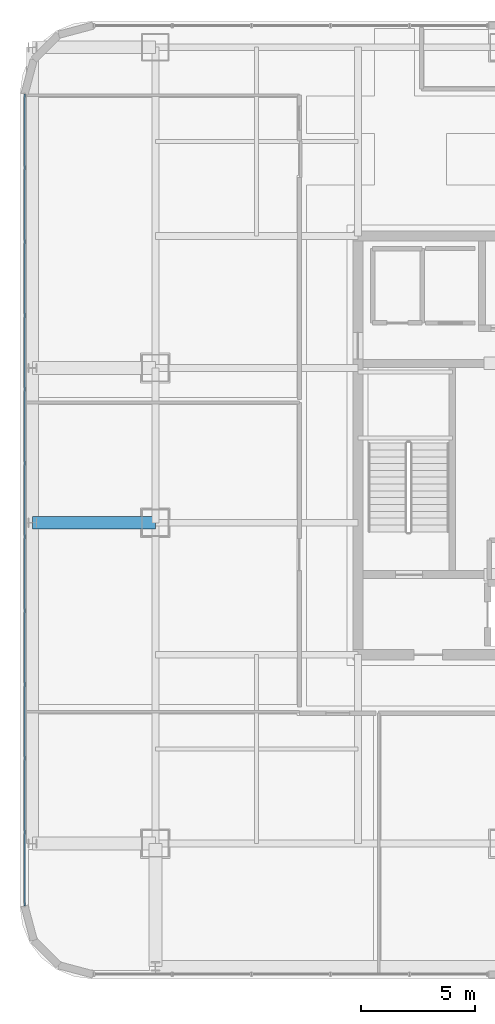
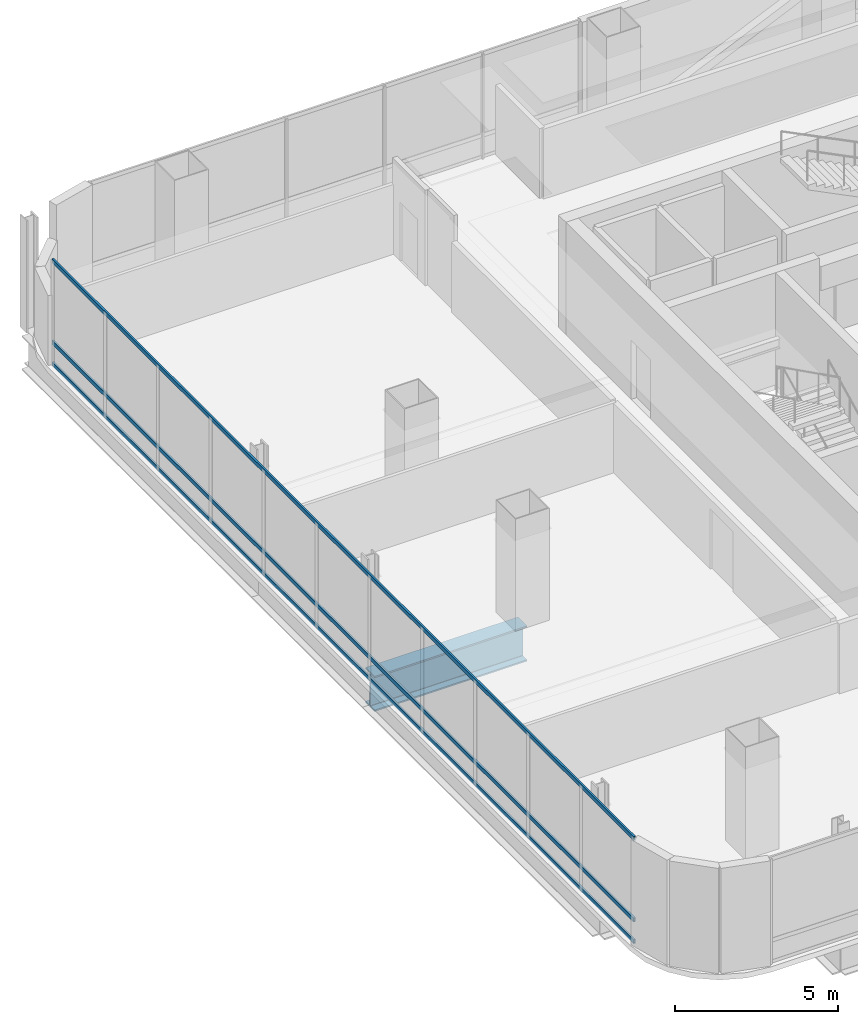
# One storey, part 11 of 46: 3 members, 1 beam, 1 element without a shape of its own.
"""IFC4 building model written with IfcOpenShell, lengths in metres."""

from ifc_helpers import new_model, si_unit, direction, frame, origin, origin_2d, place, context, subcontext, project, spatial, hollow_rectangle, i_section, extrude, material, material_profile, profile_set, type_object, element, aggregate, save


model = new_model("IFC4")

# Units and contexts
model_context = context("Model", 3, precision=1e-05, world=origin(), true_north=direction((0.0, 1.0)))
body_context = subcontext(model_context, "Body", "Model", "MODEL_VIEW")
ifc_project = project(units=[si_unit("LENGTHUNIT", "METRE"), si_unit("AREAUNIT", "SQUARE_METRE"), si_unit("VOLUMEUNIT", "CUBIC_METRE"), si_unit("PLANEANGLEUNIT", "RADIAN"), si_unit("MASSUNIT", "GRAM", prefix="KILO")], contexts=[model_context])

# Site, building, storey
site_placement = place(None, origin())
site = spatial("IfcSite", under=ifc_project, at=site_placement, CompositionType="ELEMENT")
building_placement = place(site_placement, origin())
building = spatial("IfcBuilding", under=site, at=building_placement, Name="Punatoya Terracotta Tower", CompositionType="ELEMENT")
storey_placement = place(building_placement, frame((0.0, 0.0, 330.0)))
storey = spatial("IfcBuildingStorey", under=building, at=storey_placement, Name="L78", CompositionType="ELEMENT", Elevation=330.0)

# Beam
ifc_material_1 = material(Name="Steel S460", Category="steel")
ifc_material_profile_1 = material_profile(ifc_material_1, i_section(OverallWidth=0.56005859375, OverallDepth=1.320068359375, WebThickness=0.035888671875, FlangeThickness=0.054931640625, FilletRadius=0.01806640625, at=origin_2d()))
ifc_profile_set_1 = profile_set([ifc_material_profile_1], Name="Steel S460")
beam_type = type_object("IfcBeamType", Name="BM-TG-BLK", PredefinedType="BEAM", material=ifc_profile_set_1)
beam_placement = place(storey_placement, frame((-24.5, -3.39990234375, -0.860107421875), z_axis=(1.0, 0.0, 0.0), x_axis=(0.0, 1.0, 0.0)))
element("IfcBeam", 1, at=beam_placement, inside=storey, type_object=beam_type, Name="BM-L78-CANT-W2", PredefinedType="BEAM", context=body_context, shape_type="SweptSolid", body=[
    extrude(i_section(OverallWidth=0.56005859375, OverallDepth=1.320068359375, WebThickness=0.035888671875, FlangeThickness=0.054931640625, FilletRadius=0.01806640625, at=origin_2d()), origin(), (0.0, 0.0, 1.0), 5.39990234375),
])

# Curtain wall, members
ifc_material_2 = material(Name="Aluminium 6063-T6 + Double Low-E Glass", Category="aluminium")
curtain_wall_type = type_object("IfcCurtainWallType", Name="CW-OBS", PredefinedType="NOTDEFINED", material=ifc_material_2)
curtain_wall_placement = place(storey_placement, origin())
curtain_wall = element("IfcCurtainWall", 2, at=curtain_wall_placement, inside=storey, type_object=curtain_wall_type, Name="L78 Curtain Wall CW-L78-W13-1", PredefinedType="NOTDEFINED")
ifc_material_3 = material(Name="Aluminium 6063-T6", Category="aluminium")
ifc_material_profile_2 = material_profile(ifc_material_3, hollow_rectangle(XDim=0.068115234375, YDim=0.14990234375, WallThickness=0.00390625, at=origin_2d()))
ifc_profile_set_2 = profile_set([ifc_material_profile_2], Name="Aluminium 6063-T6")
member_type = type_object("IfcMemberType", Name="CW-TRN-TYP", PredefinedType="USERDEFINED", material=ifc_profile_set_2)
member_1_placement = place(storey_placement, frame((-24.85009765625, 15.43701171875, 0.0400390625), z_axis=(0.0, -1.0, 0.0), x_axis=(1.0, 0.0, 0.0)))
member_1 = element("IfcMember", 3, at=member_1_placement, type_object=member_type, Name="CW-L78-W13-1 Transom 1", ObjectType="TRANSOM", PredefinedType="USERDEFINED", context=body_context, shape_type="SweptSolid", body=[
    extrude(hollow_rectangle(XDim=0.068115234375, YDim=0.14990234375, WallThickness=0.00390625, at=origin_2d()), origin(), (0.0, 0.0, 1.0), 35.673828125),
])
member_2_placement = place(storey_placement, frame((-24.85009765625, 15.43701171875, 0.85009765625), z_axis=(0.0, -1.0, 0.0), x_axis=(1.0, 0.0, 0.0)))
member_2 = element("IfcMember", 4, at=member_2_placement, type_object=member_type, Name="CW-L78-W13-1 Transom 2", ObjectType="TRANSOM", PredefinedType="USERDEFINED", context=body_context, shape_type="SweptSolid", body=[
    extrude(hollow_rectangle(XDim=0.068115234375, YDim=0.14990234375, WallThickness=0.00390625, at=origin_2d()), origin(), (0.0, 0.0, 1.0), 35.673828125),
])
member_3_placement = place(storey_placement, frame((-24.85009765625, 15.43701171875, 3.89990234375), z_axis=(0.0, -1.0, 0.0), x_axis=(1.0, 0.0, 0.0)))
member_3 = element("IfcMember", 5, at=member_3_placement, type_object=member_type, Name="CW-L78-W13-1 Transom 3", ObjectType="TRANSOM", PredefinedType="USERDEFINED", context=body_context, shape_type="SweptSolid", body=[
    extrude(hollow_rectangle(XDim=0.068115234375, YDim=0.14990234375, WallThickness=0.00390625, at=origin_2d()), origin(), (0.0, 0.0, 1.0), 35.673828125),
])
aggregate(curtain_wall, [member_1, member_2, member_3])

save(model, "model.ifc")
